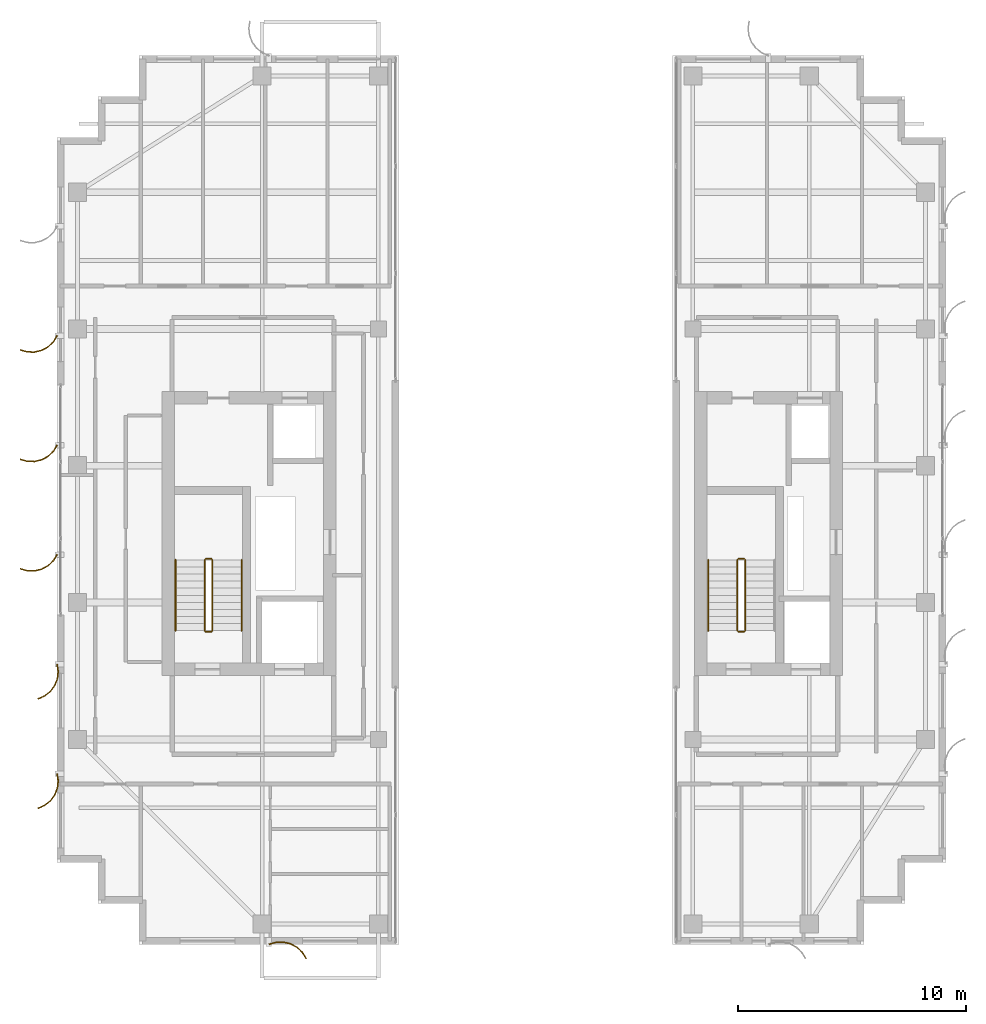
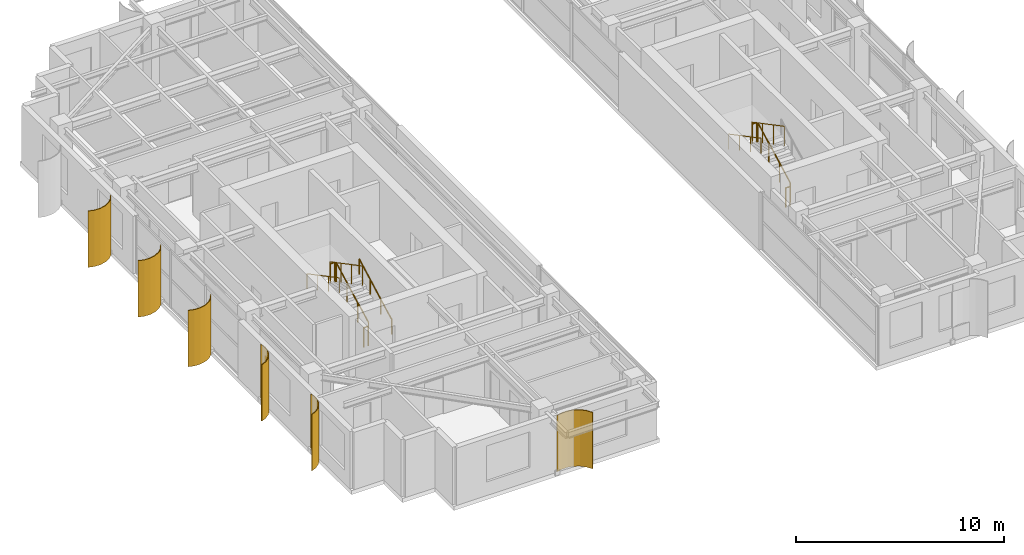
# One storey, part 21 of 22: 11 railings, 6 shading devices.
"""IFC4 building model written with IfcOpenShell, lengths in metres."""

from ifc_helpers import new_model, si_unit, direction, frame, origin, origin_2d, place, context, subcontext, project, spatial, polyline, circle, outline, extrude, source, transform, mapped, material, layer, layer_set, type_object, element, save


model = new_model("IFC4")

# Units and contexts
model_context = context("Model", 3, precision=1e-05, world=origin(), true_north=direction((0.0, 1.0)))
body_context = subcontext(model_context, "Body", "Model", "MODEL_VIEW")
ifc_project = project(units=[si_unit("LENGTHUNIT", "METRE"), si_unit("AREAUNIT", "SQUARE_METRE"), si_unit("VOLUMEUNIT", "CUBIC_METRE"), si_unit("PLANEANGLEUNIT", "RADIAN"), si_unit("MASSUNIT", "GRAM", prefix="KILO")], contexts=[model_context])

# Site, building, storey
site_placement = place(None, origin())
site = spatial("IfcSite", under=ifc_project, at=site_placement, CompositionType="ELEMENT")
building_placement = place(site_placement, origin())
building = spatial("IfcBuilding", under=site, at=building_placement, Name="Khoralis Quay Care Tower", CompositionType="ELEMENT")
storey_placement = place(building_placement, frame((0.0, 0.0, 242.10009765625)))
storey = spatial("IfcBuildingStorey", under=building, at=storey_placement, Name="L63", CompositionType="ELEMENT", Elevation=242.10009765625)

# Railings
ifc_material_1 = material(Name="Brushed stainless steel", Category="steel")
railing_type_1 = type_object("IfcRailingType", Name="RL-GUARD-1150", PredefinedType="GUARDRAIL", material=ifc_material_1)
railing_1_placement = place(storey_placement, frame((9.820068359375, 16.77001953125, 0.16357421875)))
element("IfcRailing", 1, at=railing_1_placement, inside=storey, type_object=railing_type_1, Name="L63 ST-T1 stair guard 1", PredefinedType="GUARDRAIL", context=body_context, shape_type="SweptSolid", body=[
    extrude(circle(Radius=0.02392578125, at=origin_2d()), frame((0.0, 0.0, 1.1259765625), z_axis=(0.0, 0.884376766648, 0.46677375099), x_axis=(-1.0, 0.0, 0.0)), (0.0, 0.0, 1.0), 3.50537109375),
    extrude(circle(Radius=0.02099609375, at=origin_2d()), origin(), (0.0, 0.0, 1.0), 1.101806640625),
    extrude(circle(Radius=0.02099609375, at=origin_2d()), frame((0.0, 1.033447265625, 0.54541015625)), (0.0, 0.0, 1.0), 1.101806640625),
    extrude(circle(Radius=0.02099609375, at=origin_2d()), frame((0.0, 2.066650390625, 1.0908203125)), (0.0, 0.0, 1.0), 1.101806640625),
    extrude(circle(Radius=0.02099609375, at=origin_2d()), frame((0.0, 3.10009765625, 1.63623046875)), (0.0, 0.0, 1.0), 1.101806640625),
])
railing_2_placement = place(storey_placement, frame((9.77001953125, 19.919921875, 1.7998046875)))
element("IfcRailing", 2, at=railing_2_placement, inside=storey, type_object=railing_type_1, Name="L63 ST-T1 stair guard 2", PredefinedType="GUARDRAIL", context=body_context, shape_type="SweptSolid", body=[
    extrude(circle(Radius=0.02392578125, at=origin_2d()), frame((0.0, 0.0, 1.1259765625), z_axis=(-1.0, 0.0, 0.0), x_axis=(0.0, -1.0, 0.0)), (0.0, 0.0, 1.0), 0.239990234375),
    extrude(circle(Radius=0.02099609375, at=origin_2d()), origin(), (0.0, 0.0, 1.0), 1.101806640625),
    extrude(circle(Radius=0.02099609375, at=origin_2d()), frame((-0.239990234375, 0.0, 0.0)), (0.0, 0.0, 1.0), 1.101806640625),
])
railing_3_placement = place(storey_placement, frame((9.47998046875, 19.8701171875, 1.963623046875)))
element("IfcRailing", 3, at=railing_3_placement, inside=storey, type_object=railing_type_1, Name="L63 ST-T1 stair guard 3", PredefinedType="GUARDRAIL", context=body_context, shape_type="SweptSolid", body=[
    extrude(circle(Radius=0.02392578125, at=origin_2d()), frame((0.0, 0.0, 1.1259765625), z_axis=(0.0, -0.884376766648, 0.46677375099), x_axis=(1.0, 0.0, 0.0)), (0.0, 0.0, 1.0), 3.50537109375),
    extrude(circle(Radius=0.02099609375, at=origin_2d()), origin(), (0.0, 0.0, 1.0), 1.101806640625),
    extrude(circle(Radius=0.02099609375, at=origin_2d()), frame((0.0, -1.033447265625, 0.54541015625)), (0.0, 0.0, 1.0), 1.101806640625),
    extrude(circle(Radius=0.02099609375, at=origin_2d()), frame((0.0, -2.066650390625, 1.0908203125)), (0.0, 0.0, 1.0), 1.101806640625),
    extrude(circle(Radius=0.02099609375, at=origin_2d()), frame((0.0, -3.10009765625, 1.63623046875)), (0.0, 0.0, 1.0), 1.101806640625),
])
railing_4_placement = place(storey_placement, frame((9.77001953125, 16.719970703125, 0.0)))
element("IfcRailing", 4, at=railing_4_placement, inside=storey, type_object=railing_type_1, Name="L63 ST-T1 stair guard 4", PredefinedType="GUARDRAIL", context=body_context, shape_type="SweptSolid", body=[
    extrude(circle(Radius=0.02392578125, at=origin_2d()), frame((0.0, 0.0, 1.1259765625), z_axis=(-1.0, 0.0, 0.0), x_axis=(0.0, -1.0, 0.0)), (0.0, 0.0, 1.0), 0.239990234375),
    extrude(circle(Radius=0.02099609375, at=origin_2d()), origin(), (0.0, 0.0, 1.0), 1.101806640625),
    extrude(circle(Radius=0.02099609375, at=origin_2d()), frame((-0.239990234375, 0.0, 0.0)), (0.0, 0.0, 1.0), 1.101806640625),
])
railing_5_placement = place(storey_placement, frame((33.18994140625, 16.77001953125, 0.16357421875)))
element("IfcRailing", 5, at=railing_5_placement, inside=storey, type_object=railing_type_1, Name="L63 ST-T2 stair guard 1", PredefinedType="GUARDRAIL", context=body_context, shape_type="SweptSolid", body=[
    extrude(circle(Radius=0.02392578125, at=origin_2d()), frame((0.0, 0.0, 1.1259765625), z_axis=(0.0, 0.884376766648, 0.46677375099), x_axis=(-1.0, 0.0, 0.0)), (0.0, 0.0, 1.0), 3.50537109375),
    extrude(circle(Radius=0.02099609375, at=origin_2d()), origin(), (0.0, 0.0, 1.0), 1.101806640625),
    extrude(circle(Radius=0.02099609375, at=origin_2d()), frame((0.0, 1.033447265625, 0.54541015625)), (0.0, 0.0, 1.0), 1.101806640625),
    extrude(circle(Radius=0.02099609375, at=origin_2d()), frame((0.0, 2.066650390625, 1.0908203125)), (0.0, 0.0, 1.0), 1.101806640625),
    extrude(circle(Radius=0.02099609375, at=origin_2d()), frame((0.0, 3.10009765625, 1.63623046875)), (0.0, 0.0, 1.0), 1.101806640625),
])
railing_6_placement = place(storey_placement, frame((33.139892578125, 19.919921875, 1.7998046875)))
element("IfcRailing", 6, at=railing_6_placement, inside=storey, type_object=railing_type_1, Name="L63 ST-T2 stair guard 2", PredefinedType="GUARDRAIL", context=body_context, shape_type="SweptSolid", body=[
    extrude(circle(Radius=0.02392578125, at=origin_2d()), frame((0.0, 0.0, 1.1259765625), z_axis=(-1.0, 0.0, 0.0), x_axis=(0.0, -1.0, 0.0)), (0.0, 0.0, 1.0), 0.239990234375),
    extrude(circle(Radius=0.02099609375, at=origin_2d()), origin(), (0.0, 0.0, 1.0), 1.101806640625),
    extrude(circle(Radius=0.02099609375, at=origin_2d()), frame((-0.239990234375, 0.0, 0.0)), (0.0, 0.0, 1.0), 1.101806640625),
])
railing_7_placement = place(storey_placement, frame((32.85009765625, 19.8701171875, 1.963623046875)))
element("IfcRailing", 7, at=railing_7_placement, inside=storey, type_object=railing_type_1, Name="L63 ST-T2 stair guard 3", PredefinedType="GUARDRAIL", context=body_context, shape_type="SweptSolid", body=[
    extrude(circle(Radius=0.02392578125, at=origin_2d()), frame((0.0, 0.0, 1.1259765625), z_axis=(0.0, -0.884376766648, 0.46677375099), x_axis=(1.0, 0.0, 0.0)), (0.0, 0.0, 1.0), 3.50537109375),
    extrude(circle(Radius=0.02099609375, at=origin_2d()), origin(), (0.0, 0.0, 1.0), 1.101806640625),
    extrude(circle(Radius=0.02099609375, at=origin_2d()), frame((0.0, -1.033447265625, 0.54541015625)), (0.0, 0.0, 1.0), 1.101806640625),
    extrude(circle(Radius=0.02099609375, at=origin_2d()), frame((0.0, -2.066650390625, 1.0908203125)), (0.0, 0.0, 1.0), 1.101806640625),
    extrude(circle(Radius=0.02099609375, at=origin_2d()), frame((0.0, -3.10009765625, 1.63623046875)), (0.0, 0.0, 1.0), 1.101806640625),
])
railing_8_placement = place(storey_placement, frame((33.139892578125, 16.719970703125, 0.0)))
element("IfcRailing", 8, at=railing_8_placement, inside=storey, type_object=railing_type_1, Name="L63 ST-T2 stair guard 4", PredefinedType="GUARDRAIL", context=body_context, shape_type="SweptSolid", body=[
    extrude(circle(Radius=0.02392578125, at=origin_2d()), frame((0.0, 0.0, 1.1259765625), z_axis=(-1.0, 0.0, 0.0), x_axis=(0.0, -1.0, 0.0)), (0.0, 0.0, 1.0), 0.239990234375),
    extrude(circle(Radius=0.02099609375, at=origin_2d()), origin(), (0.0, 0.0, 1.0), 1.101806640625),
    extrude(circle(Radius=0.02099609375, at=origin_2d()), frame((-0.239990234375, 0.0, 0.0)), (0.0, 0.0, 1.0), 1.101806640625),
])
railing_type_2 = type_object("IfcRailingType", Name="RL-HAND-900", PredefinedType="HANDRAIL", material=ifc_material_1)
railing_9_placement = place(storey_placement, frame((11.10009765625, 16.77001953125, 0.16357421875)))
element("IfcRailing", 9, at=railing_9_placement, inside=storey, type_object=railing_type_2, Name="L63 ST-T1 stair handrail 1", PredefinedType="HANDRAIL", context=body_context, shape_type="SweptSolid", body=[
    extrude(circle(Radius=0.02392578125, at=origin_2d()), frame((0.0, 0.0, 0.8759765625), z_axis=(0.0, 0.884376766648, 0.46677375099), x_axis=(-1.0, 0.0, 0.0)), (0.0, 0.0, 1.0), 3.50537109375),
    extrude(circle(Radius=0.02099609375, at=origin_2d()), origin(), (0.0, 0.0, 1.0), 0.851806640625),
    extrude(circle(Radius=0.02099609375, at=origin_2d()), frame((0.0, 1.033447265625, 0.54541015625)), (0.0, 0.0, 1.0), 0.851806640625),
    extrude(circle(Radius=0.02099609375, at=origin_2d()), frame((0.0, 2.066650390625, 1.0908203125)), (0.0, 0.0, 1.0), 0.851806640625),
    extrude(circle(Radius=0.02099609375, at=origin_2d()), frame((0.0, 3.10009765625, 1.63623046875)), (0.0, 0.0, 1.0), 0.851806640625),
])
for number, where, name in (
    (10, (8.199951171875, 19.8701171875, 1.963623046875), "L63 ST-T1 stair handrail 2"),
    (11, (31.570068359375, 19.8701171875, 1.963623046875), "L63 ST-T2 stair handrail 2"),
):
    element("IfcRailing", number, at=place(storey_placement, frame(where)), inside=storey, type_object=railing_type_2, Name=name, PredefinedType="HANDRAIL", context=body_context, shape_type="SweptSolid", body=[
        extrude(circle(Radius=0.02392578125, at=origin_2d()), frame((0.0, 0.0, 0.8759765625), z_axis=(0.0, -0.884376766648, 0.46677375099), x_axis=(1.0, 0.0, 0.0)), (0.0, 0.0, 1.0), 3.50537109375),
        extrude(circle(Radius=0.02099609375, at=origin_2d()), origin(), (0.0, 0.0, 1.0), 0.851806640625),
        extrude(circle(Radius=0.02099609375, at=origin_2d()), frame((0.0, -1.033447265625, 0.54541015625)), (0.0, 0.0, 1.0), 0.851806640625),
        extrude(circle(Radius=0.02099609375, at=origin_2d()), frame((0.0, -2.066650390625, 1.0908203125)), (0.0, 0.0, 1.0), 0.851806640625),
        extrude(circle(Radius=0.02099609375, at=origin_2d()), frame((0.0, -3.10009765625, 1.63623046875)), (0.0, 0.0, 1.0), 0.851806640625),
    ])

# Shading devices
ifc_material_2 = material(Name="Brushed pale anodised aluminium", Category="aluminium")
ifc_layer = layer(ifc_material_2, 0.044921875)
ifc_layer_set = layer_set([ifc_layer], Name="Brushed pale anodised aluminium")
shading_device_type = type_object("IfcShadingDeviceType", Name="SHD-FIN-1250", PredefinedType="USERDEFINED", material=ifc_layer_set)
shared_shape_1 = source(origin(), body_context, "Body", "SweptSolid", [
    extrude(outline(polyline([(0.0, 0.0), (-0.0927734375, 0.31298828125), (-0.101318359375, 0.63916015625), (-0.025146484375, 0.956298828125), (0.130615234375, 1.2431640625), (0.355224609375, 1.479736328125), (0.633544921875, 1.650390625), (0.65185546875, 1.609130859375), (0.383544921875, 1.44482421875), (0.1669921875, 1.216796875), (0.01708984375, 0.940185546875), (-0.056396484375, 0.63427734375), (-0.04833984375, 0.31982421875), (0.041015625, 0.018310546875), (0.0, 0.0)])), origin(), (0.0, 0.0, 1.0), 3.2998046875),
])
shading_device_placement = place(storey_placement, frame((12.300048828125, 3.030029296875, 0.02001953125), z_axis=(0.0, 0.0, 1.0), x_axis=(0.0, -1.0, 0.0)))
element("IfcShadingDevice", 12, at=shading_device_placement, inside=storey, type_object=shading_device_type, Name="L63 Curved Solar Fin P1E0-01", ObjectType="FIN", PredefinedType="USERDEFINED", context=body_context, shape_type="MappedRepresentation", body=[
    mapped(shared_shape_1, transform((0.0, 0.0, 0.0), scale=1.0)),
])
shared_shape_2 = source(origin(), body_context, "Body", "SweptSolid", [
    extrude(outline(polyline([(0.0, 0.0), (0.17041015625, 0.2783203125), (0.4072265625, 0.5029296875), (0.694091796875, 0.658447265625), (1.01123046875, 0.734619140625), (1.33740234375, 0.72607421875), (1.650390625, 0.633544921875), (1.632080078125, 0.59228515625), (1.330322265625, 0.681640625), (1.015869140625, 0.68994140625), (0.710205078125, 0.616455078125), (0.43359375, 0.466552734375), (0.20556640625, 0.25), (0.041015625, -0.018310546875), (0.0, 0.0)])), origin(), (0.0, 0.0, 1.0), 3.2998046875),
])
for number, where, z_axis, x_axis, name in (
    (13, (3.030029296875, 29.699951171875, 0.02001953125), (0.0, 0.0, 1.0), (-1.0, 0.0, 0.0), "L63 Curved Solar Fin P1E7-02"),
    (14, (3.030029296875, 24.89990234375, 0.02001953125), (0.0, 0.0, 1.0), (-1.0, 0.0, 0.0), "L63 Curved Solar Fin P1E7-03"),
    (15, (3.030029296875, 20.10009765625, 0.02001953125), (0.0, 0.0, 1.0), (-1.0, 0.0, 0.0), "L63 Curved Solar Fin P1E7-04"),
):
    element("IfcShadingDevice", number, at=place(storey_placement, frame(where, z_axis=z_axis, x_axis=x_axis)), inside=storey, type_object=shading_device_type, Name=name, ObjectType="FIN", PredefinedType="USERDEFINED", context=body_context, shape_type="MappedRepresentation", body=[
        mapped(shared_shape_2, transform((0.0, 0.0, 0.0), scale=1.0)),
    ])
shared_shape_3 = source(origin(), body_context, "Body", "SweptSolid", [
    extrude(outline(polyline([(0.0, 0.0), (-0.04833984375, 0.32275390625), (-0.01123046875, 0.64697265625), (0.1083984375, 0.950439453125), (0.302490234375, 1.212890625), (0.557861328125, 1.416015625), (0.85693359375, 1.546142578125), (0.869384765625, 1.5029296875), (0.5810546875, 1.37744140625), (0.334716796875, 1.181640625), (0.147705078125, 0.9287109375), (0.032470703125, 0.635986328125), (-0.003173828125, 0.323486328125), (0.043212890625, 0.012451171875), (0.0, 0.0)])), origin(), (0.0, 0.0, 1.0), 3.2998046875),
])
for number, where, z_axis, x_axis, name in (
    (16, (3.030029296875, 15.300048828125, 0.02001953125), (0.0, 0.0, 1.0), (-1.0, 0.0, 0.0), "L63 Curved Solar Fin P1E7-05"),
    (17, (3.030029296875, 10.5, 0.02001953125), (0.0, 0.0, 1.0), (-1.0, 0.0, 0.0), "L63 Curved Solar Fin P1E7-06"),
):
    element("IfcShadingDevice", number, at=place(storey_placement, frame(where, z_axis=z_axis, x_axis=x_axis)), inside=storey, type_object=shading_device_type, Name=name, ObjectType="FIN", PredefinedType="USERDEFINED", context=body_context, shape_type="MappedRepresentation", body=[
        mapped(shared_shape_3, transform((0.0, 0.0, 0.0), scale=1.0)),
    ])

save(model, "model.ifc")
